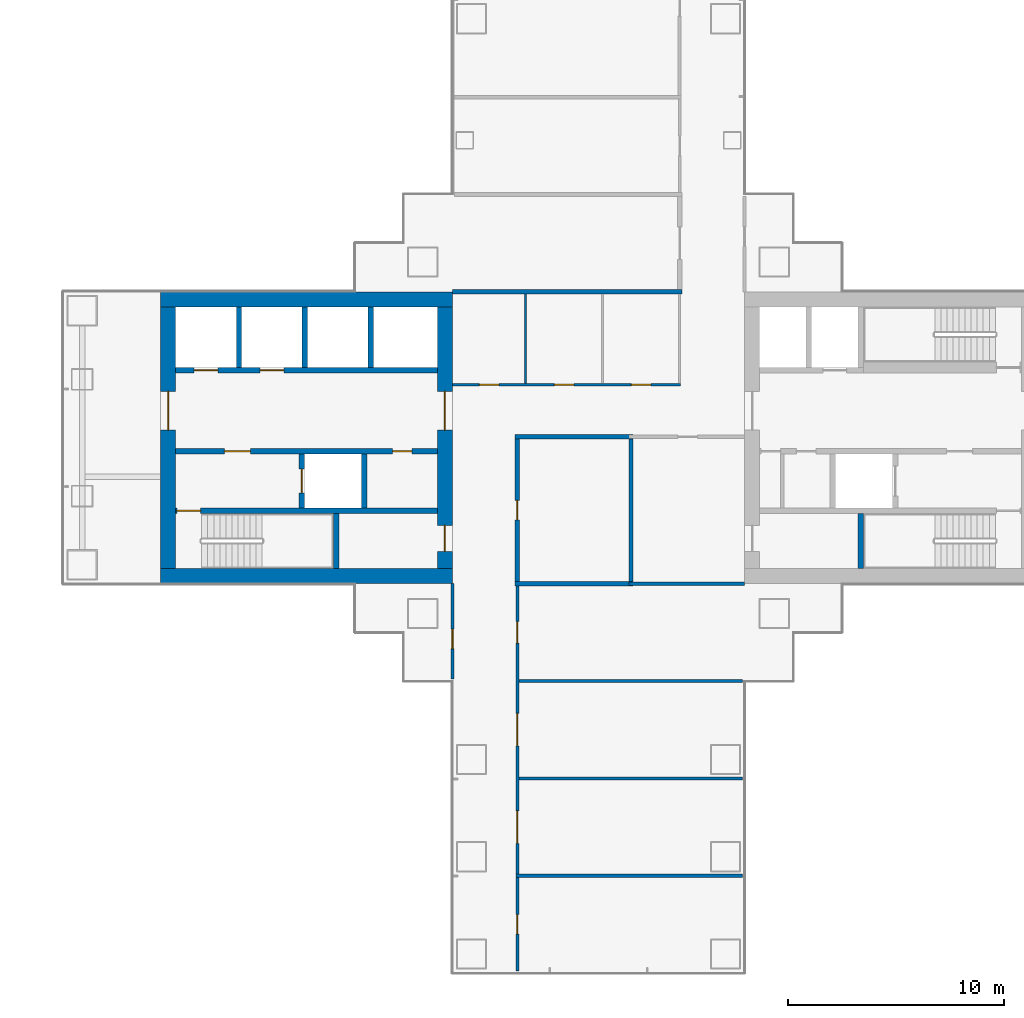
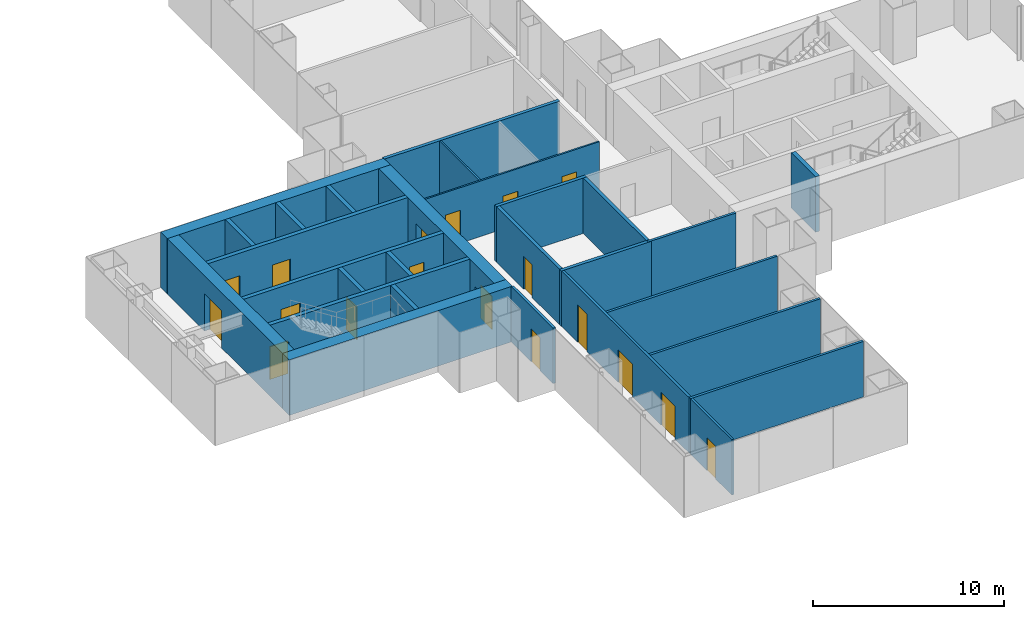
# One storey, part 16 of 21: 28 walls, 18 doors, 18 openings.
"""IFC4 building model written with IfcOpenShell, lengths in metres."""

from ifc_helpers import new_model, si_unit, direction, frame, frame_2d, origin, place, context, subcontext, project, spatial, rectangle, extrude, material, layer, layer_set, type_object, element, fill, save


model = new_model("IFC4")

# Units and contexts
model_context = context("Model", 3, precision=1e-05, world=origin(), true_north=direction((0.0, 1.0)))
body_context = subcontext(model_context, "Body", "Model", "MODEL_VIEW")
ifc_project = project(units=[si_unit("LENGTHUNIT", "METRE"), si_unit("AREAUNIT", "SQUARE_METRE"), si_unit("VOLUMEUNIT", "CUBIC_METRE"), si_unit("PLANEANGLEUNIT", "RADIAN"), si_unit("MASSUNIT", "GRAM", prefix="KILO")], contexts=[model_context])

# Site, building, storey
site_placement = place(None, origin())
site = spatial("IfcSite", under=ifc_project, at=site_placement, CompositionType="ELEMENT")
building_placement = place(site_placement, origin())
building = spatial("IfcBuilding", under=site, at=building_placement, Name="Shamsa Quay Exchange Towers", CompositionType="ELEMENT")
storey_placement = place(building_placement, frame((0.0, 0.0, 45.89990234375)))
storey = spatial("IfcBuildingStorey", under=building, at=storey_placement, Name="L09", CompositionType="ELEMENT", Elevation=45.89990234375)

# Walls
ifc_material_1 = material(Name="Concrete C80/95", Category="concrete")
ifc_layer_1 = layer(ifc_material_1, 0.699951171875)
ifc_layer_set_1 = layer_set([ifc_layer_1], Name="CORE WALL 700 C80/95")
wall_type_1 = type_object("IfcWallType", Name="CORE WALL 700 C80/95", PredefinedType="SHEAR", material=ifc_layer_set_1)
for number, where, name in (
    (1, (13.5, -6.39990234375, 0.0), "Core wall T2A-R03-PS"),
    (2, (13.5, 6.39990234375, 0.0), "Core wall T2A-R03-PN"),
):
    element("IfcWall", number, at=place(storey_placement, frame(where)), inside=storey, type_object=wall_type_1, Name=name, PredefinedType="SHEAR", context=body_context, shape_type="SweptSolid", body=[
        extrude(rectangle(XDim=13.5, YDim=0.699951171875, at=frame_2d((6.75, 0.0))), origin(), (0.0, 0.0, 1.0), 3.550048828125),
    ])

# Wall, opening, door
wall_1_placement = place(storey_placement, frame((13.85009765625, 6.050048828125, 0.0), z_axis=(0.0, 0.0, 1.0), x_axis=(0.0, -1.0, 0.0)))
wall_1 = element("IfcWall", 3, at=wall_1_placement, inside=storey, type_object=wall_type_1, Name="Core wall T2A-R03-PF", PredefinedType="SHEAR", context=body_context, shape_type="SweptSolid", body=[
    extrude(rectangle(XDim=12.10009765625, YDim=0.699951171875, at=frame_2d((6.050048828125, 0.0))), origin(), (0.0, 0.0, 1.0), 3.550048828125),
])
opening_1_placement = place(wall_1_placement, frame((3.89990234375, 0.0, 0.0)))
opening_1 = element("IfcOpeningElement", 4, at=opening_1_placement, cuts=wall_1, Name="Opening T2A-R03-LBD01", PredefinedType="OPENING", context=body_context, shape_type="SweptSolid", body=[
    extrude(rectangle(XDim=1.800048828125, YDim=2.39990234375, at=frame_2d((0.89990234375, 1.199951171875))), frame((0.0, 0.35986328125, 0.0), z_axis=(0.0, -1.0, 0.0), x_axis=(1.0, 0.0, 0.0)), (0.0, 0.0, 1.0), 0.719970703125),
])
ifc_material_2 = material(Name="Steel, fire rated", Category="steel")
door_type_1 = type_object("IfcDoorType", Name="LIFT LOBBY DOOR PAIR 1800", OperationType="DOUBLE_DOOR_SINGLE_SWING", PredefinedType="DOOR", material=ifc_material_2)
door_1_placement = place(opening_1_placement, origin())
door_1 = element("IfcDoor", 5, at=door_1_placement, inside=storey, type_object=door_type_1, Name="T2A-R03-LBD01", OperationType="DOUBLE_DOOR_SINGLE_SWING", OverallHeight=2.39990234375, OverallWidth=1.800048828125, PredefinedType="DOOR", context=body_context, shape_type="SweptSolid", body=[
    extrude(rectangle(XDim=1.800048828125, YDim=2.39990234375, at=frame_2d((0.89990234375, 1.199951171875))), frame((0.0, 0.02490234375, 0.0), z_axis=(0.0, -1.0, 0.0), x_axis=(1.0, 0.0, 0.0)), (0.0, 0.0, 1.0), 0.050048828125),
])
fill(opening_1, door_1)

# Wall, openings, doors
wall_2_placement = place(storey_placement, frame((26.64990234375, 6.050048828125, 0.0), z_axis=(0.0, 0.0, 1.0), x_axis=(0.0, -1.0, 0.0)))
wall_2 = element("IfcWall", 6, at=wall_2_placement, inside=storey, type_object=wall_type_1, Name="Core wall T2A-R03-PB", PredefinedType="SHEAR", context=body_context, shape_type="SweptSolid", body=[
    extrude(rectangle(XDim=12.10009765625, YDim=0.699951171875, at=frame_2d((6.050048828125, 0.0))), origin(), (0.0, 0.0, 1.0), 3.550048828125),
])
opening_2_placement = place(wall_2_placement, frame((10.10009765625, 0.0, 0.0)))
opening_2 = element("IfcOpeningElement", 7, at=opening_2_placement, cuts=wall_2, Name="Opening T2A-R03-RD02", PredefinedType="OPENING", context=body_context, shape_type="SweptSolid", body=[
    extrude(rectangle(XDim=1.199951171875, YDim=2.10009765625, at=frame_2d((0.60009765625, 1.050048828125))), frame((0.0, 0.35986328125, 0.0), z_axis=(0.0, -1.0, 0.0), x_axis=(1.0, 0.0, 0.0)), (0.0, 0.0, 1.0), 0.719970703125),
])
opening_3_placement = place(wall_2_placement, frame((3.89990234375, 0.0, 0.0)))
opening_3 = element("IfcOpeningElement", 8, at=opening_3_placement, cuts=wall_2, Name="Opening T2A-R03-LBD03", PredefinedType="OPENING", context=body_context, shape_type="SweptSolid", body=[
    extrude(rectangle(XDim=1.800048828125, YDim=2.39990234375, at=frame_2d((0.89990234375, 1.199951171875))), frame((0.0, 0.35986328125, 0.0), z_axis=(0.0, -1.0, 0.0), x_axis=(1.0, 0.0, 0.0)), (0.0, 0.0, 1.0), 0.719970703125),
])
door_2_placement = place(opening_3_placement, origin())
door_2 = element("IfcDoor", 9, at=door_2_placement, inside=storey, type_object=door_type_1, Name="T2A-R03-LBD03", OperationType="DOUBLE_DOOR_SINGLE_SWING", OverallHeight=2.39990234375, OverallWidth=1.800048828125, PredefinedType="DOOR", context=body_context, shape_type="SweptSolid", body=[
    extrude(rectangle(XDim=1.800048828125, YDim=2.39990234375, at=frame_2d((0.89990234375, 1.199951171875))), frame((0.0, 0.02490234375, 0.0), z_axis=(0.0, -1.0, 0.0), x_axis=(1.0, 0.0, 0.0)), (0.0, 0.0, 1.0), 0.050048828125),
])
fill(opening_3, door_2)
door_type_2 = type_object("IfcDoorType", Name="RISER ACCESS DOOR 1200", OperationType="SINGLE_SWING_LEFT", PredefinedType="DOOR", material=ifc_material_2)
door_3_placement = place(opening_2_placement, origin())
door_3 = element("IfcDoor", 10, at=door_3_placement, inside=storey, type_object=door_type_2, Name="T2A-R03-RD02", OperationType="SINGLE_SWING_RIGHT", OverallHeight=2.10009765625, OverallWidth=1.199951171875, PredefinedType="DOOR", context=body_context, shape_type="SweptSolid", body=[
    extrude(rectangle(XDim=1.199951171875, YDim=2.10009765625, at=frame_2d((0.60009765625, 1.050048828125))), frame((0.0, 0.02490234375, 0.0), z_axis=(0.0, -1.0, 0.0), x_axis=(1.0, 0.0, 0.0)), (0.0, 0.0, 1.0), 0.050048828125),
])
fill(opening_2, door_3)

# Wall, opening, door
ifc_material_3 = material(Name="Laminated fire-resisting glass in a metal frame", Category="glass")
ifc_layer_2 = layer(ifc_material_3, 0.125)
ifc_layer_set_2 = layer_set([ifc_layer_2], Name="Glazed partition 125 mm EI 60")
wall_type_2 = type_object("IfcWallType", Name="Glazed partition 125 mm EI 60", PredefinedType="PARTITIONING", material=ifc_layer_set_2)
wall_3_placement = place(storey_placement, frame((30.0, -20.324951171875, 0.0), z_axis=(0.0, 0.0, 1.0), x_axis=(0.0, -1.0, 0.0)))
wall_3 = element("IfcWall", 11, at=wall_3_placement, inside=storey, type_object=wall_type_2, Name="Partition T2-R03-W08", PredefinedType="PARTITIONING", context=body_context, shape_type="SweptSolid", body=[
    extrude(rectangle(XDim=4.330078125, YDim=0.125, at=frame_2d((2.1650390625, 0.0))), origin(), (0.0, 0.0, 1.0), 3.550048828125),
])
opening_4_placement = place(wall_3_placement, frame((1.72509765625, 0.0, 0.0)))
opening_4 = element("IfcOpeningElement", 12, at=opening_4_placement, cuts=wall_3, Name="Opening T2-R03-D10", PredefinedType="OPENING", context=body_context, shape_type="SweptSolid", body=[
    extrude(rectangle(XDim=0.89990234375, YDim=2.10009765625, at=frame_2d((0.449951171875, 1.050048828125))), frame((0.0, 0.072509765625, 0.0), z_axis=(0.0, -1.0, 0.0), x_axis=(1.0, 0.0, 0.0)), (0.0, 0.0, 1.0), 0.14501953125),
])
ifc_material_4 = material(Name="Timber door leaf in a metal frame", Category="wood")
door_type_3 = type_object("IfcDoorType", Name="Door 900x2100 FD30S", OperationType="NOTDEFINED", PredefinedType="DOOR", material=ifc_material_4)
door_4_placement = place(opening_4_placement, origin())
door_4 = element("IfcDoor", 13, at=door_4_placement, inside=storey, type_object=door_type_3, Name="Door T2-R03-D10", OperationType="SINGLE_SWING_RIGHT", OverallHeight=2.10009765625, OverallWidth=0.89990234375, PredefinedType="DOOR", context=body_context, shape_type="SweptSolid", body=[
    extrude(rectangle(XDim=0.89990234375, YDim=2.10009765625, at=frame_2d((0.449951171875, 1.050048828125))), frame((0.0, 0.02490234375, 0.0), z_axis=(0.0, -1.0, 0.0), x_axis=(1.0, 0.0, 0.0)), (0.0, 0.0, 1.0), 0.050048828125),
])
fill(opening_4, door_4)

# Wall, openings, doors
ifc_material_5 = material(Name="Gypsum board partition on metal studs")
ifc_layer_3 = layer(ifc_material_5, 0.10009765625)
ifc_layer_set_3 = layer_set([ifc_layer_3], Name="Partition 100 mm NOT RATED")
wall_type_3 = type_object("IfcWallType", Name="Partition 100 mm NOT RATED", PredefinedType="PARTITIONING", material=ifc_layer_set_3)
wall_4_placement = place(storey_placement, frame((27.0, 2.4501953125, 0.0)))
wall_4 = element("IfcWall", 14, at=wall_4_placement, inside=storey, type_object=wall_type_3, Name="Partition T2-R03-W06", PredefinedType="PARTITIONING", context=body_context, shape_type="SweptSolid", body=[
    extrude(rectangle(XDim=10.550048828125, YDim=0.10009765625, at=frame_2d((5.27490234375, 0.0))), origin(), (0.0, 0.0, 1.0), 3.550048828125),
])
opening_5_placement = place(wall_4_placement, frame((8.268798828125, 0.0, 0.0)))
opening_5 = element("IfcOpeningElement", 15, at=opening_5_placement, cuts=wall_4, Name="Opening T2-R03-D02", PredefinedType="OPENING", context=body_context, shape_type="SweptSolid", body=[
    extrude(rectangle(XDim=0.89990234375, YDim=2.10009765625, at=frame_2d((0.449951171875, 1.050048828125))), frame((0.0, 0.06005859375, 0.0), z_axis=(0.0, -1.0, 0.0), x_axis=(1.0, 0.0, 0.0)), (0.0, 0.0, 1.0), 0.1201171875),
])
opening_6_placement = place(wall_4_placement, frame((4.706298828125, 0.0, 0.0)))
opening_6 = element("IfcOpeningElement", 16, at=opening_6_placement, cuts=wall_4, Name="Opening T2-R03-D03", PredefinedType="OPENING", context=body_context, shape_type="SweptSolid", body=[
    extrude(rectangle(XDim=0.89990234375, YDim=2.10009765625, at=frame_2d((0.449951171875, 1.050048828125))), frame((0.0, 0.06005859375, 0.0), z_axis=(0.0, -1.0, 0.0), x_axis=(1.0, 0.0, 0.0)), (0.0, 0.0, 1.0), 0.1201171875),
])
opening_7_placement = place(wall_4_placement, frame((1.237548828125, 0.0, 0.0)))
opening_7 = element("IfcOpeningElement", 17, at=opening_7_placement, cuts=wall_4, Name="Opening T2-R03-D04", PredefinedType="OPENING", context=body_context, shape_type="SweptSolid", body=[
    extrude(rectangle(XDim=0.89990234375, YDim=2.10009765625, at=frame_2d((0.449951171875, 1.050048828125))), frame((0.0, 0.06005859375, 0.0), z_axis=(0.0, -1.0, 0.0), x_axis=(1.0, 0.0, 0.0)), (0.0, 0.0, 1.0), 0.1201171875),
])
door_type_4 = type_object("IfcDoorType", Name="Door 900x2100 NOT RATED", OperationType="NOTDEFINED", PredefinedType="DOOR", material=ifc_material_4)
door_5_placement = place(opening_5_placement, origin())
door_5 = element("IfcDoor", 18, at=door_5_placement, inside=storey, type_object=door_type_4, Name="Door T2-R03-D02", OperationType="SINGLE_SWING_LEFT", OverallHeight=2.10009765625, OverallWidth=0.89990234375, PredefinedType="DOOR", context=body_context, shape_type="SweptSolid", body=[
    extrude(rectangle(XDim=0.89990234375, YDim=2.10009765625, at=frame_2d((0.449951171875, 1.050048828125))), frame((0.0, 0.02490234375, 0.0), z_axis=(0.0, -1.0, 0.0), x_axis=(1.0, 0.0, 0.0)), (0.0, 0.0, 1.0), 0.050048828125),
])
fill(opening_5, door_5)
door_6_placement = place(opening_6_placement, origin())
door_6 = element("IfcDoor", 19, at=door_6_placement, inside=storey, type_object=door_type_4, Name="Door T2-R03-D03", OperationType="SINGLE_SWING_RIGHT", OverallHeight=2.10009765625, OverallWidth=0.89990234375, PredefinedType="DOOR", context=body_context, shape_type="SweptSolid", body=[
    extrude(rectangle(XDim=0.89990234375, YDim=2.10009765625, at=frame_2d((0.449951171875, 1.050048828125))), frame((0.0, 0.02490234375, 0.0), z_axis=(0.0, -1.0, 0.0), x_axis=(1.0, 0.0, 0.0)), (0.0, 0.0, 1.0), 0.050048828125),
])
fill(opening_6, door_6)
door_7_placement = place(opening_7_placement, origin())
door_7 = element("IfcDoor", 20, at=door_7_placement, inside=storey, type_object=door_type_4, Name="Door T2-R03-D04", OperationType="SINGLE_SWING_RIGHT", OverallHeight=2.10009765625, OverallWidth=0.89990234375, PredefinedType="DOOR", context=body_context, shape_type="SweptSolid", body=[
    extrude(rectangle(XDim=0.89990234375, YDim=2.10009765625, at=frame_2d((0.449951171875, 1.050048828125))), frame((0.0, 0.02490234375, 0.0), z_axis=(0.0, -1.0, 0.0), x_axis=(1.0, 0.0, 0.0)), (0.0, 0.0, 1.0), 0.050048828125),
])
fill(opening_7, door_7)

# Wall
wall_5_placement = place(storey_placement, frame((30.375, 6.64990234375, 0.0), z_axis=(0.0, 0.0, 1.0), x_axis=(0.0, -1.0, 0.0)))
element("IfcWall", 21, at=wall_5_placement, inside=storey, type_object=wall_type_3, Name="Partition T2-R03-W19", PredefinedType="PARTITIONING", context=body_context, shape_type="SweptSolid", body=[
    extrude(rectangle(XDim=4.149658203125, YDim=0.10009765625, at=frame_2d((2.07470703125, 0.0))), origin(), (0.0, 0.0, 1.0), 3.550048828125),
])

# Wall, openings, doors
ifc_layer_4 = layer(ifc_material_5, 0.14990234375)
ifc_layer_set_4 = layer_set([ifc_layer_4], Name="Partition 150 mm EI 60")
wall_type_4 = type_object("IfcWallType", Name="Partition 150 mm EI 60", PredefinedType="PARTITIONING", material=ifc_layer_set_4)
wall_6_placement = place(storey_placement, frame((30.0, -6.85009765625, 0.0), z_axis=(0.0, 0.0, 1.0), x_axis=(0.0, -1.0, 0.0)))
wall_6 = element("IfcWall", 22, at=wall_6_placement, inside=storey, type_object=wall_type_4, Name="Partition T2-R03-W07", PredefinedType="PARTITIONING", context=body_context, shape_type="SweptSolid", body=[
    extrude(rectangle(XDim=13.324951171875, YDim=0.14990234375, at=frame_2d((6.66259765625, 0.0))), origin(), (0.0, 0.0, 1.0), 3.550048828125),
])
opening_8_placement = place(wall_6_placement, frame((10.39990234375, 0.0, 0.0)))
opening_8 = element("IfcOpeningElement", 23, at=opening_8_placement, cuts=wall_6, Name="Opening T2-R03-D11", PredefinedType="OPENING", context=body_context, shape_type="SweptSolid", body=[
    extrude(rectangle(XDim=1.5, YDim=2.10009765625, at=frame_2d((0.75, 1.050048828125))), frame((0.0, 0.0849609375, 0.0), z_axis=(0.0, -1.0, 0.0), x_axis=(1.0, 0.0, 0.0)), (0.0, 0.0, 1.0), 0.169921875),
])
opening_9_placement = place(wall_6_placement, frame((5.89990234375, 0.0, 0.0)))
opening_9 = element("IfcOpeningElement", 24, at=opening_9_placement, cuts=wall_6, Name="Opening T2-R03-D12", PredefinedType="OPENING", context=body_context, shape_type="SweptSolid", body=[
    extrude(rectangle(XDim=1.5, YDim=2.10009765625, at=frame_2d((0.75, 1.050048828125))), frame((0.0, 0.0849609375, 0.0), z_axis=(0.0, -1.0, 0.0), x_axis=(1.0, 0.0, 0.0)), (0.0, 0.0, 1.0), 0.169921875),
])
opening_10_placement = place(wall_6_placement, frame((1.64990234375, 0.0, 0.0)))
opening_10 = element("IfcOpeningElement", 25, at=opening_10_placement, cuts=wall_6, Name="Opening T2-R03-D13", PredefinedType="OPENING", context=body_context, shape_type="SweptSolid", body=[
    extrude(rectangle(XDim=1.0, YDim=2.39990234375, at=frame_2d((0.5, 1.199951171875))), frame((0.0, 0.0849609375, 0.0), z_axis=(0.0, -1.0, 0.0), x_axis=(1.0, 0.0, 0.0)), (0.0, 0.0, 1.0), 0.169921875),
])
door_type_5 = type_object("IfcDoorType", Name="Door 1000x2400 FD30S", OperationType="NOTDEFINED", PredefinedType="DOOR", material=ifc_material_4)
door_8_placement = place(opening_10_placement, origin())
door_8 = element("IfcDoor", 26, at=door_8_placement, inside=storey, type_object=door_type_5, Name="Door T2-R03-D13", OperationType="SINGLE_SWING_RIGHT", OverallHeight=2.39990234375, OverallWidth=1.0, PredefinedType="DOOR", context=body_context, shape_type="SweptSolid", body=[
    extrude(rectangle(XDim=1.0, YDim=2.39990234375, at=frame_2d((0.5, 1.199951171875))), frame((0.0, 0.02490234375, 0.0), z_axis=(0.0, -1.0, 0.0), x_axis=(1.0, 0.0, 0.0)), (0.0, 0.0, 1.0), 0.050048828125),
])
fill(opening_10, door_8)
door_type_6 = type_object("IfcDoorType", Name="Door 1500x2100 FD30S pair", OperationType="NOTDEFINED", PredefinedType="DOOR", material=ifc_material_4)
door_9_placement = place(opening_8_placement, origin())
door_9 = element("IfcDoor", 27, at=door_9_placement, inside=storey, type_object=door_type_6, Name="Door T2-R03-D11", OperationType="DOUBLE_DOOR_SINGLE_SWING", OverallHeight=2.10009765625, OverallWidth=1.5, PredefinedType="DOOR", context=body_context, shape_type="SweptSolid", body=[
    extrude(rectangle(XDim=1.5, YDim=2.10009765625, at=frame_2d((0.75, 1.050048828125))), frame((0.0, 0.02490234375, 0.0), z_axis=(0.0, -1.0, 0.0), x_axis=(1.0, 0.0, 0.0)), (0.0, 0.0, 1.0), 0.050048828125),
])
fill(opening_8, door_9)
door_10_placement = place(opening_9_placement, origin())
door_10 = element("IfcDoor", 28, at=door_10_placement, inside=storey, type_object=door_type_6, Name="Door T2-R03-D12", OperationType="DOUBLE_DOOR_SINGLE_SWING", OverallHeight=2.10009765625, OverallWidth=1.5, PredefinedType="DOOR", context=body_context, shape_type="SweptSolid", body=[
    extrude(rectangle(XDim=1.5, YDim=2.10009765625, at=frame_2d((0.75, 1.050048828125))), frame((0.0, 0.02490234375, 0.0), z_axis=(0.0, -1.0, 0.0), x_axis=(1.0, 0.0, 0.0)), (0.0, 0.0, 1.0), 0.050048828125),
])
fill(opening_9, door_10)

# Wall, opening, door
wall_7_placement = place(storey_placement, frame((27.0, -11.155029296875, 0.0), z_axis=(0.0, 0.0, 1.0), x_axis=(0.0, 1.0, 0.0)))
wall_7 = element("IfcWall", 29, at=wall_7_placement, inside=storey, type_object=wall_type_4, Name="Partition T2-R03-W13", PredefinedType="PARTITIONING", context=body_context, shape_type="SweptSolid", body=[
    extrude(rectangle(XDim=4.405029296875, YDim=0.14990234375, at=frame_2d((2.20263671875, 0.0))), origin(), (0.0, 0.0, 1.0), 3.550048828125),
])
opening_11_placement = place(wall_7_placement, frame((1.405029296875, 0.0, 0.0)))
opening_11 = element("IfcOpeningElement", 30, at=opening_11_placement, cuts=wall_7, Name="Opening T2-R03-D15", PredefinedType="OPENING", context=body_context, shape_type="SweptSolid", body=[
    extrude(rectangle(XDim=0.89990234375, YDim=2.10009765625, at=frame_2d((0.449951171875, 1.050048828125))), frame((0.0, 0.0849609375, 0.0), z_axis=(0.0, -1.0, 0.0), x_axis=(1.0, 0.0, 0.0)), (0.0, 0.0, 1.0), 0.169921875),
])
door_11_placement = place(opening_11_placement, origin())
door_11 = element("IfcDoor", 31, at=door_11_placement, inside=storey, type_object=door_type_3, Name="Door T2-R03-D15", OperationType="SINGLE_SWING_LEFT", OverallHeight=2.10009765625, OverallWidth=0.89990234375, PredefinedType="DOOR", context=body_context, shape_type="SweptSolid", body=[
    extrude(rectangle(XDim=0.89990234375, YDim=2.10009765625, at=frame_2d((0.449951171875, 1.050048828125))), frame((0.0, 0.02490234375, 0.0), z_axis=(0.0, -1.0, 0.0), x_axis=(1.0, 0.0, 0.0)), (0.0, 0.0, 1.0), 0.050048828125),
])
fill(opening_11, door_11)

# Walls
wall_8_placement = place(storey_placement, frame((30.074951171875, -11.25, 0.0)))
element("IfcWall", 32, at=wall_8_placement, inside=storey, type_object=wall_type_4, Name="Partition T2-R03-W20", PredefinedType="PARTITIONING", context=body_context, shape_type="SweptSolid", body=[
    extrude(rectangle(XDim=10.330078125, YDim=0.14990234375, at=frame_2d((5.1650390625, 0.0))), origin(), (0.0, 0.0, 1.0), 3.550048828125),
])
wall_9_placement = place(storey_placement, frame((40.5, -6.75, 0.0), z_axis=(0.0, 0.0, 1.0), x_axis=(-1.0, 0.0, 0.0)))
element("IfcWall", 33, at=wall_9_placement, inside=storey, type_object=wall_type_4, Name="Partition T2-R03-W21", PredefinedType="PARTITIONING", context=body_context, shape_type="SweptSolid", body=[
    extrude(rectangle(XDim=5.35009765625, YDim=0.14990234375, at=frame_2d((2.675048828125, 0.0))), origin(), (0.0, 0.0, 1.0), 3.550048828125),
])
wall_10_placement = place(storey_placement, frame((30.074951171875, -15.75, 0.0)))
element("IfcWall", 34, at=wall_10_placement, inside=storey, type_object=wall_type_4, Name="Partition T2-R03-W23", PredefinedType="PARTITIONING", context=body_context, shape_type="SweptSolid", body=[
    extrude(rectangle(XDim=10.330078125, YDim=0.14990234375, at=frame_2d((5.1650390625, 0.0))), origin(), (0.0, 0.0, 1.0), 3.550048828125),
])
wall_11_placement = place(storey_placement, frame((29.925048828125, -20.25, 0.0)))
element("IfcWall", 35, at=wall_11_placement, inside=storey, type_object=wall_type_4, Name="Partition T2-R03-W24", PredefinedType="PARTITIONING", context=body_context, shape_type="SweptSolid", body=[
    extrude(rectangle(XDim=10.47998046875, YDim=0.14990234375, at=frame_2d((5.239990234375, 0.0))), origin(), (0.0, 0.0, 1.0), 3.550048828125),
])

# Wall, opening, door
ifc_layer_5 = layer(ifc_material_5, 0.199951171875)
ifc_layer_set_5 = layer_set([ifc_layer_5], Name="Partition 200 mm EI 120")
wall_type_5 = type_object("IfcWallType", Name="Partition 200 mm EI 120", PredefinedType="PARTITIONING", material=ifc_layer_set_5)
wall_12_placement = place(storey_placement, frame((30.0, -0.05029296875, 0.0), z_axis=(0.0, 0.0, 1.0), x_axis=(0.0, -1.0, 0.0)))
wall_12 = element("IfcWall", 36, at=wall_12_placement, inside=storey, type_object=wall_type_5, Name="Partition T2-R03-W10", PredefinedType="PARTITIONING", context=body_context, shape_type="SweptSolid", body=[
    extrude(rectangle(XDim=6.599609375, YDim=0.199951171875, at=frame_2d((3.2998046875, 0.0))), origin(), (0.0, 0.0, 1.0), 3.550048828125),
])
opening_12_placement = place(wall_12_placement, frame((2.849853515625, 0.0, 0.0)))
opening_12 = element("IfcOpeningElement", 37, at=opening_12_placement, cuts=wall_12, Name="Opening T2-R03-D14", PredefinedType="OPENING", context=body_context, shape_type="SweptSolid", body=[
    extrude(rectangle(XDim=0.89990234375, YDim=2.10009765625, at=frame_2d((0.449951171875, 1.050048828125))), frame((0.0, 0.10986328125, 0.0), z_axis=(0.0, -1.0, 0.0), x_axis=(1.0, 0.0, 0.0)), (0.0, 0.0, 1.0), 0.219970703125),
])
door_type_7 = type_object("IfcDoorType", Name="Door 900x2100 FD60", OperationType="NOTDEFINED", PredefinedType="DOOR", material=ifc_material_4)
door_12_placement = place(opening_12_placement, origin())
door_12 = element("IfcDoor", 38, at=door_12_placement, inside=storey, type_object=door_type_7, Name="Door T2-R03-D14", OperationType="SINGLE_SWING_LEFT", OverallHeight=2.10009765625, OverallWidth=0.89990234375, PredefinedType="DOOR", context=body_context, shape_type="SweptSolid", body=[
    extrude(rectangle(XDim=0.89990234375, YDim=2.10009765625, at=frame_2d((0.449951171875, 1.050048828125))), frame((0.0, 0.02490234375, 0.0), z_axis=(0.0, -1.0, 0.0), x_axis=(1.0, 0.0, 0.0)), (0.0, 0.0, 1.0), 0.050048828125),
])
fill(opening_12, door_12)

# Walls
for number, where, z_axis, x_axis, name in (
    (39, (35.35009765625, 0.0498046875, 0.0), (0.0, 0.0, 1.0), (-1.0, 0.0, 0.0), "Partition T2-R03-W11"),
    (40, (35.35009765625, -6.75, 0.0), (0.0, 0.0, 1.0), (-1.0, 0.0, 0.0), "Partition T2-R03-W22"),
):
    element("IfcWall", number, at=place(storey_placement, frame(where, z_axis=z_axis, x_axis=x_axis)), inside=storey, type_object=wall_type_5, Name=name, PredefinedType="PARTITIONING", context=body_context, shape_type="SweptSolid", body=[
        extrude(rectangle(XDim=5.4501953125, YDim=0.199951171875, at=frame_2d((2.72509765625, 0.0))), origin(), (0.0, 0.0, 1.0), 3.550048828125),
    ])
wall_13_placement = place(storey_placement, frame((35.25, -0.05029296875, 0.0), z_axis=(0.0, 0.0, 1.0), x_axis=(0.0, -1.0, 0.0)))
element("IfcWall", 41, at=wall_13_placement, inside=storey, type_object=wall_type_5, Name="Partition T2-R03-W25", PredefinedType="PARTITIONING", context=body_context, shape_type="SweptSolid", body=[
    extrude(rectangle(XDim=6.599609375, YDim=0.199951171875, at=frame_2d((3.2998046875, 0.0))), origin(), (0.0, 0.0, 1.0), 3.550048828125),
])
ifc_layer_6 = layer(ifc_material_5, 0.199951171875)
ifc_layer_set_6 = layer_set([ifc_layer_6], Name="Partition 200 mm EI 90")
wall_type_6 = type_object("IfcWallType", Name="Partition 200 mm EI 90", PredefinedType="PARTITIONING", material=ifc_layer_set_6)
wall_14_placement = place(storey_placement, frame((27.0, 6.75, 0.0)))
element("IfcWall", 42, at=wall_14_placement, inside=storey, type_object=wall_type_6, Name="Partition T2-R03-W15", PredefinedType="PARTITIONING", context=body_context, shape_type="SweptSolid", body=[
    extrude(rectangle(XDim=10.60009765625, YDim=0.199951171875, at=frame_2d((5.300048828125, 0.0))), origin(), (0.0, 0.0, 1.0), 3.550048828125),
])

# Wall, opening, door
ifc_material_6 = material(Name="Concrete C50/60", Category="concrete")
ifc_layer_7 = layer(ifc_material_6, 0.25)
ifc_layer_set_7 = layer_set([ifc_layer_7], Name="SHAFT WALL 250 C50/60")
wall_type_7 = type_object("IfcWallType", Name="SHAFT WALL 250 C50/60", PredefinedType="SHEAR", material=ifc_layer_set_7)
wall_15_placement = place(storey_placement, frame((26.300048828125, -3.375, 0.0), z_axis=(0.0, 0.0, 1.0), x_axis=(-1.0, 0.0, 0.0)))
wall_15 = element("IfcWall", 43, at=wall_15_placement, inside=storey, type_object=wall_type_7, Name="Shaft wall T2A-R03-STL", PredefinedType="SHEAR", context=body_context, shape_type="SweptSolid", body=[
    extrude(rectangle(XDim=12.10009765625, YDim=0.25, at=frame_2d((6.050048828125, 0.0))), origin(), (0.0, 0.0, 1.0), 3.550048828125),
])
opening_13_placement = place(wall_15_placement, frame((10.949951171875, 0.0, 0.0)))
opening_13 = element("IfcOpeningElement", 44, at=opening_13_placement, cuts=wall_15, Name="Opening T2A-R03-SD04", PredefinedType="OPENING", context=body_context, shape_type="SweptSolid", body=[
    extrude(rectangle(XDim=1.10009765625, YDim=2.10009765625, at=frame_2d((0.550048828125, 1.050048828125))), frame((0.0, 0.135009765625, 0.0), z_axis=(0.0, -1.0, 0.0), x_axis=(1.0, 0.0, 0.0)), (0.0, 0.0, 1.0), 0.27001953125),
])
door_type_8 = type_object("IfcDoorType", Name="STAIR DOOR 1100", OperationType="SINGLE_SWING_LEFT", PredefinedType="DOOR", material=ifc_material_2)
door_13_placement = place(opening_13_placement, origin())
door_13 = element("IfcDoor", 45, at=door_13_placement, inside=storey, type_object=door_type_8, Name="T2A-R03-SD04", OperationType="SINGLE_SWING_RIGHT", OverallHeight=2.10009765625, OverallWidth=1.10009765625, PredefinedType="DOOR", context=body_context, shape_type="SweptSolid", body=[
    extrude(rectangle(XDim=1.10009765625, YDim=2.10009765625, at=frame_2d((0.550048828125, 1.050048828125))), frame((0.0, 0.02490234375, 0.0), z_axis=(0.0, -1.0, 0.0), x_axis=(1.0, 0.0, 0.0)), (0.0, 0.0, 1.0), 0.050048828125),
])
fill(opening_13, door_13)

# Wall
wall_16_placement = place(storey_placement, frame((21.625, -6.050048828125, 0.0), z_axis=(0.0, 0.0, 1.0), x_axis=(0.0, 1.0, 0.0)))
element("IfcWall", 46, at=wall_16_placement, inside=storey, type_object=wall_type_7, Name="Shaft wall T2A-R03-STF", PredefinedType="SHEAR", context=body_context, shape_type="SweptSolid", body=[
    extrude(rectangle(XDim=2.550048828125, YDim=0.25, at=frame_2d((1.27490234375, 0.0))), origin(), (0.0, 0.0, 1.0), 3.550048828125),
])

# Wall, openings, doors
wall_17_placement = place(storey_placement, frame((26.300048828125, -0.625, 0.0), z_axis=(0.0, 0.0, 1.0), x_axis=(-1.0, 0.0, 0.0)))
wall_17 = element("IfcWall", 47, at=wall_17_placement, inside=storey, type_object=wall_type_7, Name="Shaft wall T2A-R03-B", PredefinedType="SHEAR", context=body_context, shape_type="SweptSolid", body=[
    extrude(rectangle(XDim=12.10009765625, YDim=0.25, at=frame_2d((6.050048828125, 0.0))), origin(), (0.0, 0.0, 1.0), 3.550048828125),
])
opening_14_placement = place(wall_17_placement, frame((8.64990234375, 0.0, 0.0)))
opening_14 = element("IfcOpeningElement", 48, at=opening_14_placement, cuts=wall_17, Name="Opening T2A-R03-FD05", PredefinedType="OPENING", context=body_context, shape_type="SweptSolid", body=[
    extrude(rectangle(XDim=1.199951171875, YDim=2.10009765625, at=frame_2d((0.60009765625, 1.050048828125))), frame((0.0, 0.135009765625, 0.0), z_axis=(0.0, -1.0, 0.0), x_axis=(1.0, 0.0, 0.0)), (0.0, 0.0, 1.0), 0.27001953125),
])
opening_15_placement = place(wall_17_placement, frame((1.175048828125, 0.0, 0.0)))
opening_15 = element("IfcOpeningElement", 49, at=opening_15_placement, cuts=wall_17, Name="Opening T2A-R03-SV06", PredefinedType="OPENING", context=body_context, shape_type="SweptSolid", body=[
    extrude(rectangle(XDim=0.89990234375, YDim=2.10009765625, at=frame_2d((0.449951171875, 1.050048828125))), frame((0.0, 0.135009765625, 0.0), z_axis=(0.0, -1.0, 0.0), x_axis=(1.0, 0.0, 0.0)), (0.0, 0.0, 1.0), 0.27001953125),
])
door_type_9 = type_object("IfcDoorType", Name="FIRE SERVICE LOBBY DOOR 1200", OperationType="SINGLE_SWING_LEFT", PredefinedType="DOOR", material=ifc_material_2)
door_14_placement = place(opening_14_placement, origin())
door_14 = element("IfcDoor", 50, at=door_14_placement, inside=storey, type_object=door_type_9, Name="T2A-R03-FD05", OperationType="SINGLE_SWING_RIGHT", OverallHeight=2.10009765625, OverallWidth=1.199951171875, PredefinedType="DOOR", context=body_context, shape_type="SweptSolid", body=[
    extrude(rectangle(XDim=1.199951171875, YDim=2.10009765625, at=frame_2d((0.60009765625, 1.050048828125))), frame((0.0, 0.02490234375, 0.0), z_axis=(0.0, -1.0, 0.0), x_axis=(1.0, 0.0, 0.0)), (0.0, 0.0, 1.0), 0.050048828125),
])
fill(opening_14, door_14)
door_type_10 = type_object("IfcDoorType", Name="SERVICE ROOM DOOR 900", OperationType="SINGLE_SWING_LEFT", PredefinedType="DOOR", material=ifc_material_2)
door_15_placement = place(opening_15_placement, origin())
door_15 = element("IfcDoor", 51, at=door_15_placement, inside=storey, type_object=door_type_10, Name="T2A-R03-SV06", OperationType="SINGLE_SWING_LEFT", OverallHeight=2.10009765625, OverallWidth=0.89990234375, PredefinedType="DOOR", context=body_context, shape_type="SweptSolid", body=[
    extrude(rectangle(XDim=0.89990234375, YDim=2.10009765625, at=frame_2d((0.449951171875, 1.050048828125))), frame((0.0, 0.02490234375, 0.0), z_axis=(0.0, -1.0, 0.0), x_axis=(1.0, 0.0, 0.0)), (0.0, 0.0, 1.0), 0.050048828125),
])
fill(opening_15, door_15)

# Wall, opening, door
wall_18_placement = place(storey_placement, frame((20.02490234375, -3.25, 0.0), z_axis=(0.0, 0.0, 1.0), x_axis=(0.0, 1.0, 0.0)))
wall_18 = element("IfcWall", 52, at=wall_18_placement, inside=storey, type_object=wall_type_7, Name="Shaft wall T2A-R03-FFF", PredefinedType="SHEAR", context=body_context, shape_type="SweptSolid", body=[
    extrude(rectangle(XDim=2.5, YDim=0.25, at=frame_2d((1.25, 0.0))), origin(), (0.0, 0.0, 1.0), 3.550048828125),
])
opening_16_placement = place(wall_18_placement, frame((0.699951171875, 0.0, 0.0)))
opening_16 = element("IfcOpeningElement", 53, at=opening_16_placement, cuts=wall_18, Name="Opening T2A-R03-LDF07", PredefinedType="OPENING", context=body_context, shape_type="SweptSolid", body=[
    extrude(rectangle(XDim=1.10009765625, YDim=2.10009765625, at=frame_2d((0.550048828125, 1.050048828125))), frame((0.0, 0.135009765625, 0.0), z_axis=(0.0, -1.0, 0.0), x_axis=(1.0, 0.0, 0.0)), (0.0, 0.0, 1.0), 0.27001953125),
])
door_type_11 = type_object("IfcDoorType", Name="FIRE SERVICE LANDING DOOR 1100", OperationType="SLIDING_TO_LEFT", PredefinedType="DOOR", material=ifc_material_2)
door_16_placement = place(opening_16_placement, origin())
door_16 = element("IfcDoor", 54, at=door_16_placement, inside=storey, type_object=door_type_11, Name="T2A-R03-LDF07", OperationType="SLIDING_TO_LEFT", OverallHeight=2.10009765625, OverallWidth=1.10009765625, PredefinedType="DOOR", context=body_context, shape_type="SweptSolid", body=[
    extrude(rectangle(XDim=1.10009765625, YDim=2.10009765625, at=frame_2d((0.550048828125, 1.050048828125))), frame((0.0, 0.02490234375, 0.0), z_axis=(0.0, -1.0, 0.0), x_axis=(1.0, 0.0, 0.0)), (0.0, 0.0, 1.0), 0.050048828125),
])
fill(opening_16, door_16)

# Wall
wall_19_placement = place(storey_placement, frame((22.925048828125, -3.25, 0.0), z_axis=(0.0, 0.0, 1.0), x_axis=(0.0, 1.0, 0.0)))
element("IfcWall", 55, at=wall_19_placement, inside=storey, type_object=wall_type_7, Name="Shaft wall T2A-R03-FFB", PredefinedType="SHEAR", context=body_context, shape_type="SweptSolid", body=[
    extrude(rectangle(XDim=2.5, YDim=0.25, at=frame_2d((1.25, 0.0))), origin(), (0.0, 0.0, 1.0), 3.550048828125),
])

# Wall, openings, doors
wall_20_placement = place(storey_placement, frame((14.199951171875, 3.125, 0.0)))
wall_20 = element("IfcWall", 56, at=wall_20_placement, inside=storey, type_object=wall_type_7, Name="Shaft wall T2A-R03-N", PredefinedType="SHEAR", context=body_context, shape_type="SweptSolid", body=[
    extrude(rectangle(XDim=12.10009765625, YDim=0.25, at=frame_2d((6.050048828125, 0.0))), origin(), (0.0, 0.0, 1.0), 3.550048828125),
])
opening_17_placement = place(wall_20_placement, frame((0.85009765625, 0.0, 0.0)))
opening_17 = element("IfcOpeningElement", 57, at=opening_17_placement, cuts=wall_20, Name="Opening T2A-R03-LD08", PredefinedType="OPENING", context=body_context, shape_type="SweptSolid", body=[
    extrude(rectangle(XDim=1.10009765625, YDim=2.10009765625, at=frame_2d((0.550048828125, 1.050048828125))), frame((0.0, 0.135009765625, 0.0), z_axis=(0.0, -1.0, 0.0), x_axis=(1.0, 0.0, 0.0)), (0.0, 0.0, 1.0), 0.27001953125),
])
opening_18_placement = place(wall_20_placement, frame((3.89990234375, 0.0, 0.0)))
opening_18 = element("IfcOpeningElement", 58, at=opening_18_placement, cuts=wall_20, Name="Opening T2A-R03-LD09", PredefinedType="OPENING", context=body_context, shape_type="SweptSolid", body=[
    extrude(rectangle(XDim=1.10009765625, YDim=2.10009765625, at=frame_2d((0.550048828125, 1.050048828125))), frame((0.0, 0.135009765625, 0.0), z_axis=(0.0, -1.0, 0.0), x_axis=(1.0, 0.0, 0.0)), (0.0, 0.0, 1.0), 0.27001953125),
])
door_type_12 = type_object("IfcDoorType", Name="LANDING DOOR 1100", OperationType="SLIDING_TO_LEFT", PredefinedType="DOOR", material=ifc_material_2)
door_17_placement = place(opening_17_placement, origin())
door_17 = element("IfcDoor", 59, at=door_17_placement, inside=storey, type_object=door_type_12, Name="T2A-R03-LD08", OperationType="SLIDING_TO_LEFT", OverallHeight=2.10009765625, OverallWidth=1.10009765625, PredefinedType="DOOR", context=body_context, shape_type="SweptSolid", body=[
    extrude(rectangle(XDim=1.10009765625, YDim=2.10009765625, at=frame_2d((0.550048828125, 1.050048828125))), frame((0.0, 0.02490234375, 0.0), z_axis=(0.0, -1.0, 0.0), x_axis=(1.0, 0.0, 0.0)), (0.0, 0.0, 1.0), 0.050048828125),
])
fill(opening_17, door_17)
door_18_placement = place(opening_18_placement, origin())
door_18 = element("IfcDoor", 60, at=door_18_placement, inside=storey, type_object=door_type_12, Name="T2A-R03-LD09", OperationType="SLIDING_TO_LEFT", OverallHeight=2.10009765625, OverallWidth=1.10009765625, PredefinedType="DOOR", context=body_context, shape_type="SweptSolid", body=[
    extrude(rectangle(XDim=1.10009765625, YDim=2.10009765625, at=frame_2d((0.550048828125, 1.050048828125))), frame((0.0, 0.02490234375, 0.0), z_axis=(0.0, -1.0, 0.0), x_axis=(1.0, 0.0, 0.0)), (0.0, 0.0, 1.0), 0.050048828125),
])
fill(opening_18, door_18)

# Walls
for number, where, z_axis, x_axis, name in (
    (61, (17.125, 3.25, 0.0), (0.0, 0.0, 1.0), (0.0, 1.0, 0.0), "Shaft wall T2A-R03-D0"),
    (62, (20.175048828125, 3.25, 0.0), (0.0, 0.0, 1.0), (0.0, 1.0, 0.0), "Shaft wall T2A-R03-D1"),
    (63, (23.22509765625, 3.25, 0.0), (0.0, 0.0, 1.0), (0.0, 1.0, 0.0), "Shaft wall T2A-R03-D2"),
):
    element("IfcWall", number, at=place(storey_placement, frame(where, z_axis=z_axis, x_axis=x_axis)), inside=storey, type_object=wall_type_7, Name=name, PredefinedType="SHEAR", context=body_context, shape_type="SweptSolid", body=[
        extrude(rectangle(XDim=2.800048828125, YDim=0.25, at=frame_2d((1.39990234375, 0.0))), origin(), (0.0, 0.0, 1.0), 3.550048828125),
    ])
wall_21_placement = place(storey_placement, frame((45.875, -6.050048828125, 0.0), z_axis=(0.0, 0.0, 1.0), x_axis=(0.0, 1.0, 0.0)))
element("IfcWall", 64, at=wall_21_placement, inside=storey, type_object=wall_type_7, Name="Shaft wall T2B-R03-STF", PredefinedType="SHEAR", context=body_context, shape_type="SweptSolid", body=[
    extrude(rectangle(XDim=2.550048828125, YDim=0.25, at=frame_2d((1.27490234375, 0.0))), origin(), (0.0, 0.0, 1.0), 3.550048828125),
])

save(model, "model.ifc")
